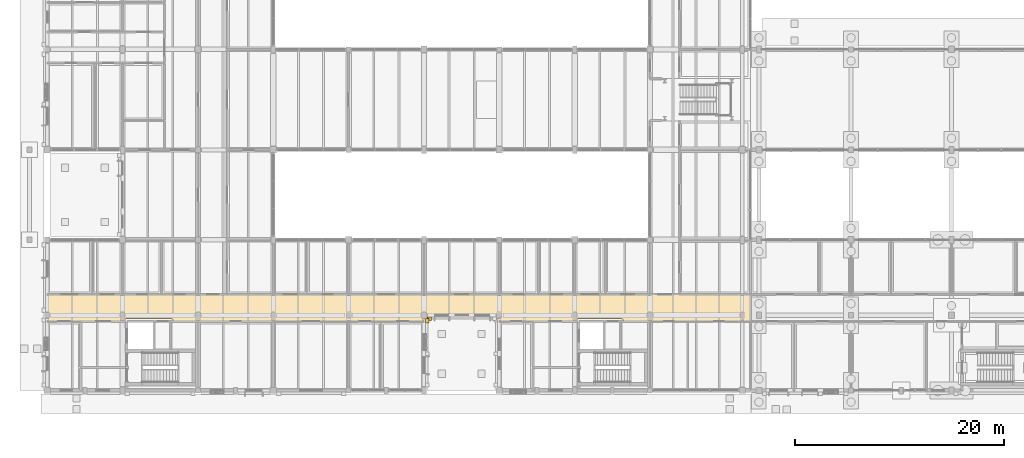
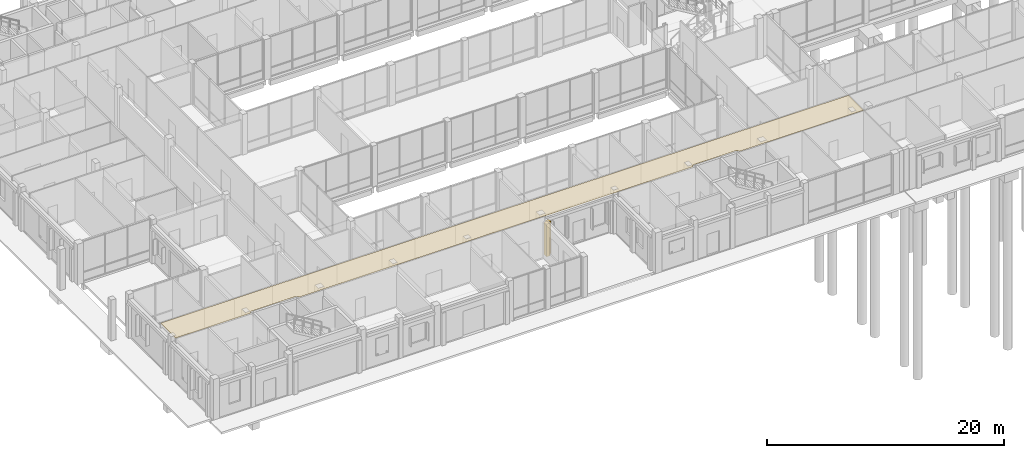
# One storey, part 93 of 104: 3 coverings.
"""IFC4 building model written with IfcOpenShell, lengths in metres."""

import ifcopenshell
import ifcopenshell.guid

model = None  # the IFC model being written
_history = None  # IfcOwnerHistory: only IFC2X3 demands one
_inside = {}  # id of a spatial element -> (the spatial element, [elements in it])
_under = {}  # id of a project, library or spatial element -> (it, [spatial elements below it])
_declared = {}  # id of a project -> (the project, [libraries it declares])
_typed = {}  # id of a type object -> (the type object, [elements of that type])
_made_of = {}  # id of a material, layer set ... -> (it, [elements and type objects made of it])


def new_model(schema):
    """Start an empty IFC model of exactly this schema.

    Asked for "IFC4X3", IfcOpenShell would pick the latest addendum, in which some entities
    have other attributes; the version numbers below select the first issue.
    IFC2X3 requires an IfcOwnerHistory on every rooted entity: one is made here for all.
    """
    global model, _history
    if schema == "IFC4X3":
        model = ifcopenshell.file(schema_version=(4, 3, 0, 0))
    else:
        model = ifcopenshell.file(schema=schema)
    _inside.clear()
    _under.clear()
    _declared.clear()
    _typed.clear()
    _made_of.clear()
    _history = None
    if model.schema == "IFC2X3":
        org = make("IfcOrganization", Name="unknown")
        user = make(
            "IfcPersonAndOrganization",
            ThePerson=make("IfcPerson", FamilyName="unknown"),
            TheOrganization=org,
        )
        app = make(
            "IfcApplication",
            ApplicationDeveloper=org,
            Version="unknown",
            ApplicationFullName="unknown",
            ApplicationIdentifier="unknown",
        )
        _history = make(
            "IfcOwnerHistory",
            OwningUser=user,
            OwningApplication=app,
            ChangeAction="ADDED",
            CreationDate=0,
        )
    return model


def make(cls, **values):
    """One entity of the class cls with the attributes given. An attribute that is None is left unset."""
    return model.create_entity(
        cls, **{name: value for name, value in values.items() if value is not None}
    )


def rooted(cls, **values):
    """An entity with a GlobalId (a new one), such as an element, a storey or a relation."""
    return make(cls, GlobalId=ifcopenshell.guid.new(), OwnerHistory=_history, **values)


def si_unit(unit_type, name, prefix=None):
    """IfcSIUnit, for example si_unit("LENGTHUNIT", "METRE", prefix="MILLI")."""
    return make("IfcSIUnit", UnitType=unit_type, Prefix=prefix, Name=name)


def assignment(units):
    """IfcUnitAssignment: the units of a project."""
    return None if units is None else make("IfcUnitAssignment", Units=units)


def point(xyz):
    """IfcCartesianPoint."""
    return None if xyz is None else make("IfcCartesianPoint", Coordinates=xyz)


def direction(xyz):
    """IfcDirection."""
    return None if xyz is None else make("IfcDirection", DirectionRatios=xyz)


def frame(location, z_axis=None, x_axis=None):
    """IfcAxis2Placement3D, a coordinate frame: its origin and axes. An axis left out is left unset."""
    return make(
        "IfcAxis2Placement3D",
        Location=point(location),
        Axis=direction(z_axis),
        RefDirection=direction(x_axis),
    )


def frame_2d(location, x_axis=None):
    """IfcAxis2Placement2D, a coordinate frame in the plane: its origin and x axis."""
    return make(
        "IfcAxis2Placement2D", Location=point(location), RefDirection=direction(x_axis)
    )


def origin():
    """The frame at (0, 0, 0) with its axes left unset."""
    return frame((0.0, 0.0, 0.0))


def origin_2d():
    """The frame at (0, 0) in the plane with its x axis left unset."""
    return frame_2d((0.0, 0.0))


def place(relative_to, where):
    """IfcLocalPlacement: puts the frame where relative to a parent placement (None: the world)."""
    return make(
        "IfcLocalPlacement", PlacementRelTo=relative_to, RelativePlacement=where
    )


def context(
    kind, dimensions, precision=None, world=None, true_north=None, identifier=None
):
    """IfcGeometricRepresentationContext, for example the 3D "Model" context."""
    return make(
        "IfcGeometricRepresentationContext",
        ContextIdentifier=identifier,
        ContextType=kind,
        CoordinateSpaceDimension=dimensions,
        Precision=precision,
        WorldCoordinateSystem=world,
        TrueNorth=true_north,
    )


def subcontext(parent, identifier, kind, view, scale=None):
    """IfcGeometricRepresentationSubContext, for example "Body" below "Model"."""
    return make(
        "IfcGeometricRepresentationSubContext",
        ContextIdentifier=identifier,
        ContextType=kind,
        ParentContext=parent,
        TargetScale=scale,
        TargetView=view,
    )


def project(units=None, contexts=None):
    """IfcProject with its units and contexts."""
    return rooted(
        "IfcProject",
        Name="project",
        RepresentationContexts=contexts,
        UnitsInContext=assignment(units),
    )


def spatial(cls, under=None, at=None, **own):
    """A site, building, storey or space (cls), placed at a placement, below another one or the project."""
    s = rooted(cls, ObjectPlacement=at, **own)
    if under is not None:
        _under.setdefault(under.id(), (under, []))[1].append(s)
    return s


def polyline(points):
    """IfcPolyline through the points."""
    return make("IfcPolyline", Points=[point(p) for p in points])


def profile(cls, at=None, kind="AREA", **sizes):
    """A parametric profile (cls). Its sizes go by their IFC names, for example OverallWidth=200.0."""
    return make(cls, ProfileType=kind, Position=at, **sizes)


def rectangle(**sizes):
    """IfcRectangleProfileDef."""
    return profile("IfcRectangleProfileDef", **sizes)


def outline(outer, holes=None, kind="AREA"):
    """IfcArbitraryClosedProfileDef: a profile drawn as a closed curve; with holes, ...WithVoids."""
    if holes is None:
        return make("IfcArbitraryClosedProfileDef", ProfileType=kind, OuterCurve=outer)
    return make(
        "IfcArbitraryProfileDefWithVoids",
        ProfileType=kind,
        OuterCurve=outer,
        InnerCurves=holes,
    )


def extrude(swept, where, along, depth):
    """IfcExtrudedAreaSolid: the profile swept, set in the frame where, extruded along a direction by depth."""
    return make(
        "IfcExtrudedAreaSolid",
        SweptArea=swept,
        Position=where,
        ExtrudedDirection=direction(along),
        Depth=depth,
    )


def shape(context_of_items, identifier, shape_type, items):
    """IfcShapeRepresentation: the items that make up one representation, for example the "Body"."""
    return make(
        "IfcShapeRepresentation",
        ContextOfItems=context_of_items,
        RepresentationIdentifier=identifier,
        RepresentationType=shape_type,
        Items=items,
    )


def material(Name=None, Category=None):
    """IfcMaterial."""
    return make("IfcMaterial", Name=Name, Category=Category)


def layer(
    of_material, thickness, ventilated=None, Name=None, Category=None, Priority=None
):
    """IfcMaterialLayer: one layer of a wall or slab, of a material (None: an air gap)."""
    return make(
        "IfcMaterialLayer",
        Material=of_material,
        LayerThickness=thickness,
        IsVentilated=ventilated,
        Name=Name,
        Category=Category,
        Priority=Priority,
    )


def layer_set(layers, Name=None):
    """IfcMaterialLayerSet."""
    return make("IfcMaterialLayerSet", MaterialLayers=layers, LayerSetName=Name)


def made_of(thing, what):
    """Note that an element or type object is made of a material, layer set ...; save() writes the relation."""
    if what is not None:
        _made_of.setdefault(what.id(), (what, []))[1].append(thing)
    return thing


def type_object(cls, material=None, **own):
    """A type object (cls), such as IfcWallType, which elements share."""
    return made_of(rooted(cls, **own), material)


def element(
    cls,
    number,
    at=None,
    inside=None,
    cuts=None,
    type_object=None,
    material=None,
    context=None,
    identifier="Body",
    shape_type=None,
    held_by="IfcProductDefinitionShape",
    body=None,
    shapes=None,
    **own,
):
    """One element of the class cls, such as IfcWall. Its Tag is "e" and its number.

    at: its placement. inside: the storey or other place that contains it. cuts: it is an
    opening in that element (IfcRelVoidsElement). A single representation is given by context,
    identifier, shape_type and body (its items); several are given by shapes. held_by: the class
    of the entity that holds the representations. save() writes the other relations.
    """
    e = rooted(cls, Tag="e%d" % number, ObjectPlacement=at, **own)
    if body is not None:
        shapes = [shape(context, identifier, shape_type, body)]
    if shapes is not None:
        e.Representation = make(held_by, Representations=shapes)
    if inside is not None:
        _inside.setdefault(inside.id(), (inside, []))[1].append(e)
    if cuts is not None:
        rooted(
            "IfcRelVoidsElement", RelatingBuildingElement=cuts, RelatedOpeningElement=e
        )
    if type_object is not None:
        _typed.setdefault(type_object.id(), (type_object, []))[1].append(e)
    return made_of(e, material)


def aggregate(whole, parts):
    """IfcRelAggregates: a whole, such as a stair, and the parts it consists of."""
    return rooted("IfcRelAggregates", RelatingObject=whole, RelatedObjects=parts)


def save(model, path):
    """Write the relations noted so far, then the file.

    IfcRelAggregates (storeys below a building ...), IfcRelContainedInSpatialStructure (elements
    in a storey), IfcRelDefinesByType, IfcRelAssociatesMaterial and IfcRelDeclares: one each for
    every whole, place, type object, material and project.
    """
    for whole, parts in _under.values():
        aggregate(whole, parts)
    for where, things in _inside.values():
        rooted(
            "IfcRelContainedInSpatialStructure",
            RelatedElements=things,
            RelatingStructure=where,
        )
    for kind, things in _typed.values():
        rooted("IfcRelDefinesByType", RelatedObjects=things, RelatingType=kind)
    for what, things in _made_of.values():
        rooted("IfcRelAssociatesMaterial", RelatedObjects=things, RelatingMaterial=what)
    for by, libraries in _declared.values():
        rooted("IfcRelDeclares", RelatingContext=by, RelatedDefinitions=libraries)
    model.write(path)


model = new_model("IFC4")

# Units and contexts
model_context = context("Model", 3, precision=1e-05, world=origin(), true_north=direction((0.0, 1.0)))
body_context = subcontext(model_context, "Body", "Model", "MODEL_VIEW")
ifc_project = project(units=[si_unit("LENGTHUNIT", "METRE"), si_unit("AREAUNIT", "SQUARE_METRE"), si_unit("VOLUMEUNIT", "CUBIC_METRE"), si_unit("PLANEANGLEUNIT", "RADIAN"), si_unit("MASSUNIT", "GRAM", prefix="KILO")], contexts=[model_context])

# Site, building, storey
site_placement = place(None, origin())
site = spatial("IfcSite", under=ifc_project, at=site_placement, CompositionType="ELEMENT")
building_placement = place(site_placement, origin())
building = spatial("IfcBuilding", under=site, at=building_placement, Name="Hawrajan Terrace Health Centre", CompositionType="ELEMENT")
storey_placement = place(building_placement, origin())
storey = spatial("IfcBuildingStorey", under=building, at=storey_placement, Name="L00", CompositionType="ELEMENT", Elevation=0.0)

# Coverings
ifc_material_1 = material(Name="Precast concrete C40/50", Category="concrete")
ifc_layer_1 = layer(ifc_material_1, 0.340087890625)
ifc_layer_set_1 = layer_set([ifc_layer_1], Name="Precast concrete C40/50")
covering_type_1 = type_object("IfcCoveringType", Name="ArtDecoStonePilaster", PredefinedType="CLADDING", material=ifc_layer_set_1)
for number, where, z_axis, x_axis, name in (
    (1, (40.919921875, 10.8798828125, 0.0), (0.0, 0.0, 1.0), (0.0, 1.0, 0.0), "Art Deco fluted limestone pilaster FPIL-L00-0027"),
    (2, (41.1201171875, 11.070068359375, 0.0), (0.0, 0.0, 1.0), (1.0, 0.0, 0.0), "Art Deco fluted limestone pilaster FPIL-L00-0029"),
):
    element("IfcCovering", number, at=place(storey_placement, frame(where, z_axis=z_axis, x_axis=x_axis)), inside=storey, type_object=covering_type_1, Name=name, PredefinedType="CLADDING", context=body_context, shape_type="SweptSolid", body=[
        extrude(rectangle(XDim=0.39990234375, YDim=0.340087890625, at=origin_2d()), origin(), (0.0, 0.0, 1.0), 3.360107421875),
    ])
ifc_material_2 = material(Name="Hygienic mineral-fibre acoustic tile ceiling")
ifc_layer_2 = layer(ifc_material_2, 0.02490234375)
ifc_layer_set_2 = layer_set([ifc_layer_2], Name="Hygienic mineral-fibre acoustic tile ceiling")
covering_type_2 = type_object("IfcCoveringType", Name="ClinicalAcousticCeiling_25", PredefinedType="CEILING", material=ifc_layer_set_2)
covering_placement = place(storey_placement, frame((0.0, 0.0, 4.155029296875)))
element("IfcCovering", 3, at=covering_placement, inside=storey, type_object=covering_type_2, Name="Suspended ceiling L00-031", PredefinedType="CEILING", context=body_context, shape_type="SweptSolid", body=[
    extrude(outline(polyline([(4.6201171875, 10.820068359375), (4.6201171875, 13.3798828125), (71.77490234375, 13.3798828125), (71.77490234375, 10.820068359375), (59.6689453125, 10.820068359375), (59.668701171875, 10.825439453125), (59.668701171875, 10.827392578125), (59.6650390625, 10.851806640625), (59.66455078125, 10.853515625), (59.65869140625, 10.87744140625), (59.658203125, 10.87939453125), (59.64990234375, 10.90234375), (59.64892578125, 10.904296875), (59.638671875, 10.926513671875), (59.6376953125, 10.927978515625), (59.625, 10.94921875), (59.623779296875, 10.95068359375), (59.609375, 10.970458984375), (59.608154296875, 10.971923828125), (59.591552734375, 10.990234375), (59.590087890625, 10.99169921875), (59.572021484375, 11.008056640625), (59.570556640625, 11.00927734375), (59.55078125, 11.02392578125), (59.54931640625, 11.02490234375), (59.528076171875, 11.03759765625), (59.5263671875, 11.03857421875), (59.504150390625, 11.049072265625), (59.50244140625, 11.0498046875), (59.479248046875, 11.05810546875), (59.477294921875, 11.05859375), (59.45361328125, 11.064697265625), (59.45166015625, 11.06494140625), (59.427490234375, 11.068603515625), (59.425537109375, 11.06884765625), (59.40087890625, 11.070068359375), (59.39990234375, 11.070068359375), (55.39990234375, 11.070068359375), (55.39892578125, 11.070068359375), (55.37451171875, 11.06884765625), (55.37255859375, 11.068603515625), (55.348388671875, 11.06494140625), (55.346435546875, 11.064697265625), (55.322509765625, 11.05859375), (55.32080078125, 11.05810546875), (55.297607421875, 11.0498046875), (55.2958984375, 11.049072265625), (55.273681640625, 11.03857421875), (55.27197265625, 11.03759765625), (55.250732421875, 11.02490234375), (55.249267578125, 11.02392578125), (55.2294921875, 11.00927734375), (55.22802734375, 11.008056640625), (55.209716796875, 10.99169921875), (55.20849609375, 10.990234375), (55.19189453125, 10.971923828125), (55.190673828125, 10.970458984375), (55.176025390625, 10.95068359375), (55.175048828125, 10.94921875), (55.162353515625, 10.927978515625), (55.161376953125, 10.926513671875), (55.15087890625, 10.904296875), (55.150146484375, 10.90234375), (55.141845703125, 10.87939453125), (55.141357421875, 10.87744140625), (55.135498046875, 10.853515625), (55.135009765625, 10.851806640625), (55.13134765625, 10.827392578125), (55.131103515625, 10.825439453125), (55.131103515625, 10.820068359375), (16.6689453125, 10.820068359375), (16.668701171875, 10.825439453125), (16.668701171875, 10.827392578125), (16.6650390625, 10.851806640625), (16.66455078125, 10.853515625), (16.65869140625, 10.87744140625), (16.658203125, 10.87939453125), (16.64990234375, 10.90234375), (16.64892578125, 10.904296875), (16.638671875, 10.926513671875), (16.6376953125, 10.927978515625), (16.625, 10.94921875), (16.623779296875, 10.95068359375), (16.609375, 10.970458984375), (16.608154296875, 10.971923828125), (16.591552734375, 10.990234375), (16.590087890625, 10.99169921875), (16.572021484375, 11.008056640625), (16.570556640625, 11.00927734375), (16.55078125, 11.02392578125), (16.54931640625, 11.02490234375), (16.528076171875, 11.03759765625), (16.5263671875, 11.03857421875), (16.504150390625, 11.049072265625), (16.50244140625, 11.0498046875), (16.479248046875, 11.05810546875), (16.477294921875, 11.05859375), (16.45361328125, 11.064697265625), (16.45166015625, 11.06494140625), (16.427490234375, 11.068603515625), (16.425537109375, 11.06884765625), (16.40087890625, 11.070068359375), (16.39990234375, 11.070068359375), (12.199951171875, 11.070068359375), (12.198974609375, 11.070068359375), (12.174560546875, 11.06884765625), (12.172607421875, 11.068603515625), (12.148193359375, 11.06494140625), (12.146484375, 11.064697265625), (12.12255859375, 11.05859375), (12.12060546875, 11.05810546875), (12.09765625, 11.0498046875), (12.095703125, 11.049072265625), (12.073486328125, 11.03857421875), (12.072021484375, 11.03759765625), (12.05078125, 11.02490234375), (12.04931640625, 11.02392578125), (12.029541015625, 11.00927734375), (12.028076171875, 11.008056640625), (12.009765625, 10.99169921875), (12.00830078125, 10.990234375), (11.991943359375, 10.971923828125), (11.99072265625, 10.970458984375), (11.97607421875, 10.95068359375), (11.97509765625, 10.94921875), (11.96240234375, 10.927978515625), (11.96142578125, 10.926513671875), (11.950927734375, 10.904296875), (11.9501953125, 10.90234375), (11.94189453125, 10.87939453125), (11.94140625, 10.87744140625), (11.935302734375, 10.853515625), (11.93505859375, 10.851806640625), (11.931396484375, 10.827392578125), (11.93115234375, 10.825439453125), (11.930908203125, 10.820068359375), (4.6201171875, 10.820068359375)])), origin(), (0.0, 0.0, 1.0), 0.02490234375),
])

save(model, "model.ifc")
